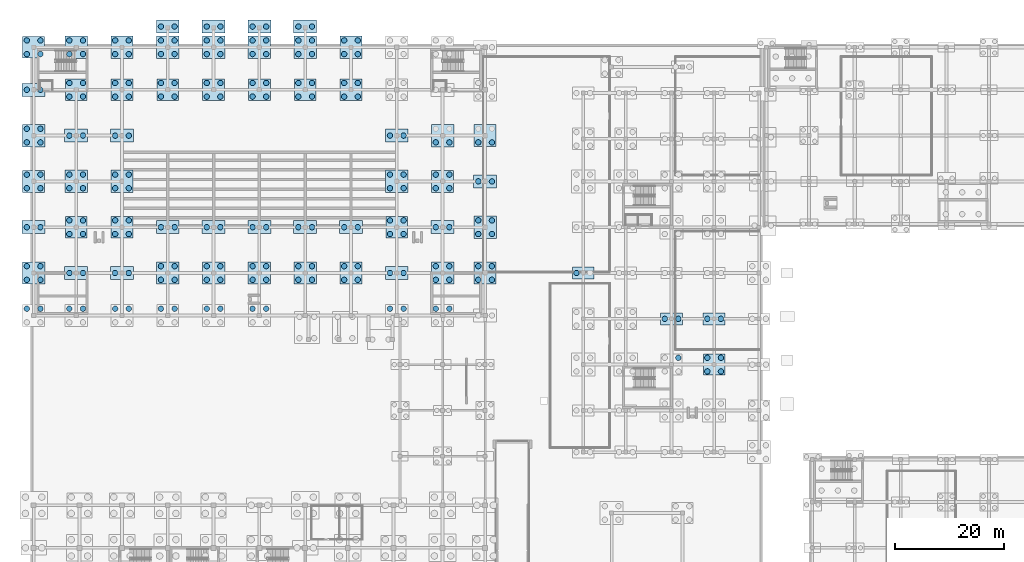
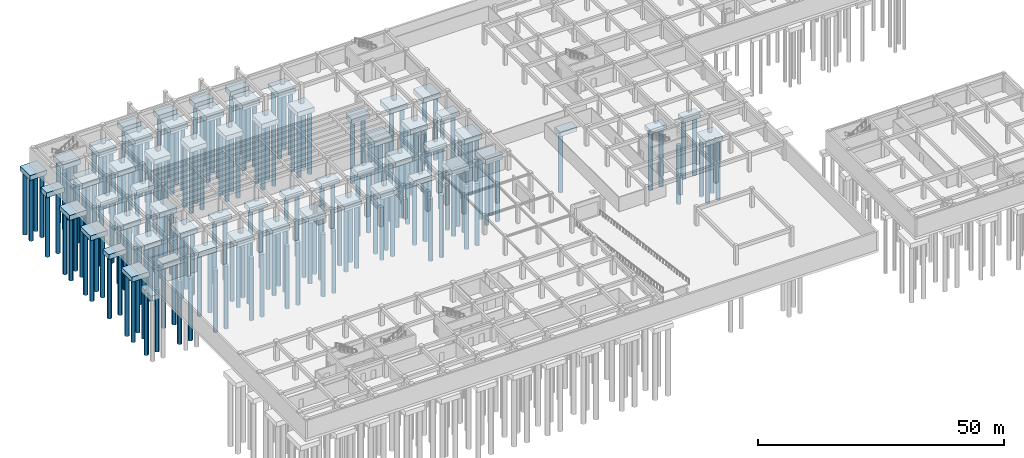
# One storey, part 3 of 35: 200 piles, 58 footings.
"""IFC4 building model written with IfcOpenShell, lengths in metres."""

from ifc_helpers import new_model, si_unit, direction, frame, origin, origin_2d, place, context, subcontext, project, spatial, rectangle, circle, extrude, material, material_profile, profile_set, type_object, element, save


model = new_model("IFC4")

# Units and contexts
model_context = context("Model", 3, precision=1e-05, world=origin(), true_north=direction((0.0, 1.0)))
body_context = subcontext(model_context, "Body", "Model", "MODEL_VIEW")
ifc_project = project(units=[si_unit("LENGTHUNIT", "METRE"), si_unit("AREAUNIT", "SQUARE_METRE"), si_unit("VOLUMEUNIT", "CUBIC_METRE"), si_unit("PLANEANGLEUNIT", "RADIAN"), si_unit("MASSUNIT", "GRAM", prefix="KILO")], contexts=[model_context])

# Site, building, storey
site_placement = place(None, origin())
site = spatial("IfcSite", under=ifc_project, at=site_placement, CompositionType="ELEMENT")
building_placement = place(site_placement, origin())
building = spatial("IfcBuilding", under=site, at=building_placement, Name="Zayran Congress Hotel", CompositionType="ELEMENT")
storey_placement = place(building_placement, frame((0.0, 0.0, -4.800048828125)))
storey = spatial("IfcBuildingStorey", under=building, at=storey_placement, Name="B1", CompositionType="ELEMENT", Elevation=-4.800048828125)

# Piles
ifc_material = material(Name="Concrete C40/50", Category="concrete")
ifc_material_profile = material_profile(ifc_material, circle(Radius=0.5, at=origin_2d()), Name="PILE D1000")
ifc_profile_set = profile_set([ifc_material_profile], Name="Concrete C40/50")
pile_type = type_object("IfcPileType", Name="TP-PL-1000", PredefinedType="BORED", material=ifc_profile_set)
for number, where, z_axis, x_axis, name in (
    (1, (7.75, 69.449951171875, -1.699951171875), (0.0, 0.0, -1.0), (1.0, 0.0, 0.0), "PIL-0041"),
    (2, (10.25, 69.449951171875, -1.699951171875), (0.0, 0.0, -1.0), (1.0, 0.0, 0.0), "PIL-0042"),
    (3, (7.75, 74.75, -1.699951171875), (0.0, 0.0, -1.0), (1.0, 0.0, 0.0), "PIL-0043"),
    (4, (10.25, 74.75, -1.699951171875), (0.0, 0.0, -1.0), (1.0, 0.0, 0.0), "PIL-0044"),
    (5, (7.75, 77.25, -1.699951171875), (0.0, 0.0, -1.0), (1.0, 0.0, 0.0), "PIL-0045"),
    (6, (10.25, 77.25, -1.699951171875), (0.0, 0.0, -1.0), (1.0, 0.0, 0.0), "PIL-0046"),
    (7, (7.75, 84.39990234375, -1.699951171875), (0.0, 0.0, -1.0), (1.0, 0.0, 0.0), "PIL-0047"),
    (8, (10.25, 84.39990234375, -1.699951171875), (0.0, 0.0, -1.0), (1.0, 0.0, 0.0), "PIL-0048"),
    (9, (7.75, 91.550048828125, -1.699951171875), (0.0, 0.0, -1.0), (1.0, 0.0, 0.0), "PIL-0049"),
    (10, (10.25, 91.550048828125, -1.699951171875), (0.0, 0.0, -1.0), (1.0, 0.0, 0.0), "PIL-0050"),
    (11, (7.75, 94.050048828125, -1.699951171875), (0.0, 0.0, -1.0), (1.0, 0.0, 0.0), "PIL-0051"),
    (12, (10.25, 94.050048828125, -1.699951171875), (0.0, 0.0, -1.0), (1.0, 0.0, 0.0), "PIL-0052"),
    (13, (7.75, 99.949951171875, -1.699951171875), (0.0, 0.0, -1.0), (1.0, 0.0, 0.0), "PIL-0053"),
    (14, (10.25, 99.949951171875, -1.699951171875), (0.0, 0.0, -1.0), (1.0, 0.0, 0.0), "PIL-0054"),
    (15, (7.75, 102.449951171875, -1.699951171875), (0.0, 0.0, -1.0), (1.0, 0.0, 0.0), "PIL-0055"),
    (16, (10.25, 102.449951171875, -1.699951171875), (0.0, 0.0, -1.0), (1.0, 0.0, 0.0), "PIL-0056"),
    (17, (7.75, 109.60009765625, -1.699951171875), (0.0, 0.0, -1.0), (1.0, 0.0, 0.0), "PIL-0057"),
    (18, (10.25, 109.60009765625, -1.699951171875), (0.0, 0.0, -1.0), (1.0, 0.0, 0.0), "PIL-0058"),
    (19, (7.75, 116.14990234375, -1.699951171875), (0.0, 0.0, -1.0), (1.0, 0.0, 0.0), "PIL-0059"),
    (20, (10.25, 116.14990234375, -1.699951171875), (0.0, 0.0, -1.0), (1.0, 0.0, 0.0), "PIL-0060"),
    (21, (7.75, 118.64990234375, -1.699951171875), (0.0, 0.0, -1.0), (1.0, 0.0, 0.0), "PIL-0061"),
    (22, (10.25, 118.64990234375, -1.699951171875), (0.0, 0.0, -1.0), (1.0, 0.0, 0.0), "PIL-0062"),
    (23, (15.550048828125, 69.449951171875, -1.699951171875), (0.0, 0.0, -1.0), (1.0, 0.0, 0.0), "PIL-0065"),
    (24, (18.050048828125, 69.449951171875, -1.699951171875), (0.0, 0.0, -1.0), (1.0, 0.0, 0.0), "PIL-0066"),
    (25, (15.550048828125, 76.0, -1.699951171875), (0.0, 0.0, -1.0), (1.0, 0.0, 0.0), "PIL-0067"),
    (26, (18.050048828125, 76.0, -1.699951171875), (0.0, 0.0, -1.0), (1.0, 0.0, 0.0), "PIL-0068"),
    (27, (15.550048828125, 83.14990234375, -1.699951171875), (0.0, 0.0, -1.0), (1.0, 0.0, 0.0), "PIL-0069"),
    (28, (18.050048828125, 83.14990234375, -1.699951171875), (0.0, 0.0, -1.0), (1.0, 0.0, 0.0), "PIL-0070"),
    (29, (15.550048828125, 85.64990234375, -1.699951171875), (0.0, 0.0, -1.0), (1.0, 0.0, 0.0), "PIL-0071"),
    (30, (18.050048828125, 85.64990234375, -1.699951171875), (0.0, 0.0, -1.0), (1.0, 0.0, 0.0), "PIL-0072"),
    (31, (15.550048828125, 91.550048828125, -1.699951171875), (0.0, 0.0, -1.0), (1.0, 0.0, 0.0), "PIL-0073"),
    (32, (18.050048828125, 91.550048828125, -1.699951171875), (0.0, 0.0, -1.0), (1.0, 0.0, 0.0), "PIL-0074"),
    (33, (15.550048828125, 94.050048828125, -1.699951171875), (0.0, 0.0, -1.0), (1.0, 0.0, 0.0), "PIL-0075"),
    (34, (18.050048828125, 94.050048828125, -1.699951171875), (0.0, 0.0, -1.0), (1.0, 0.0, 0.0), "PIL-0076"),
    (35, (15.550048828125, 101.199951171875, -1.699951171875), (0.0, 0.0, -1.0), (1.0, 0.0, 0.0), "PIL-0077"),
    (36, (18.050048828125, 101.199951171875, -1.699951171875), (0.0, 0.0, -1.0), (1.0, 0.0, 0.0), "PIL-0078"),
    (37, (15.550048828125, 108.35009765625, -1.699951171875), (0.0, 0.0, -1.0), (1.0, 0.0, 0.0), "PIL-0079"),
    (38, (18.050048828125, 108.35009765625, -1.699951171875), (0.0, 0.0, -1.0), (1.0, 0.0, 0.0), "PIL-0080"),
    (39, (15.550048828125, 110.85009765625, -1.699951171875), (0.0, 0.0, -1.0), (1.0, 0.0, 0.0), "PIL-0081"),
    (40, (18.050048828125, 110.85009765625, -1.699951171875), (0.0, 0.0, -1.0), (1.0, 0.0, 0.0), "PIL-0082"),
    (41, (15.550048828125, 116.14990234375, -1.699951171875), (0.0, 0.0, -1.0), (1.0, 0.0, 0.0), "PIL-0083"),
    (42, (18.050048828125, 116.14990234375, -1.699951171875), (0.0, 0.0, -1.0), (1.0, 0.0, 0.0), "PIL-0084"),
    (43, (15.550048828125, 118.64990234375, -1.699951171875), (0.0, 0.0, -1.0), (1.0, 0.0, 0.0), "PIL-0085"),
    (44, (18.050048828125, 118.64990234375, -1.699951171875), (0.0, 0.0, -1.0), (1.0, 0.0, 0.0), "PIL-0086"),
    (45, (23.949951171875, 69.449951171875, -1.699951171875), (0.0, 0.0, -1.0), (1.0, 0.0, 0.0), "PIL-0121"),
    (46, (26.449951171875, 69.449951171875, -1.699951171875), (0.0, 0.0, -1.0), (1.0, 0.0, 0.0), "PIL-0122"),
    (47, (23.949951171875, 76.0, -1.699951171875), (0.0, 0.0, -1.0), (1.0, 0.0, 0.0), "PIL-0123"),
    (48, (26.449951171875, 76.0, -1.699951171875), (0.0, 0.0, -1.0), (1.0, 0.0, 0.0), "PIL-0124"),
    (49, (23.949951171875, 83.14990234375, -1.699951171875), (0.0, 0.0, -1.0), (1.0, 0.0, 0.0), "PIL-0125"),
    (50, (26.449951171875, 83.14990234375, -1.699951171875), (0.0, 0.0, -1.0), (1.0, 0.0, 0.0), "PIL-0126"),
    (51, (23.949951171875, 85.64990234375, -1.699951171875), (0.0, 0.0, -1.0), (1.0, 0.0, 0.0), "PIL-0127"),
    (52, (26.449951171875, 85.64990234375, -1.699951171875), (0.0, 0.0, -1.0), (1.0, 0.0, 0.0), "PIL-0128"),
    (53, (23.949951171875, 91.550048828125, -1.699951171875), (0.0, 0.0, -1.0), (1.0, 0.0, 0.0), "PIL-0129"),
    (54, (26.449951171875, 91.550048828125, -1.699951171875), (0.0, 0.0, -1.0), (1.0, 0.0, 0.0), "PIL-0130"),
    (55, (23.949951171875, 94.050048828125, -1.699951171875), (0.0, 0.0, -1.0), (1.0, 0.0, 0.0), "PIL-0131"),
    (56, (26.449951171875, 94.050048828125, -1.699951171875), (0.0, 0.0, -1.0), (1.0, 0.0, 0.0), "PIL-0132"),
    (57, (23.949951171875, 101.199951171875, -1.699951171875), (0.0, 0.0, -1.0), (1.0, 0.0, 0.0), "PIL-0133"),
    (58, (26.449951171875, 101.199951171875, -1.699951171875), (0.0, 0.0, -1.0), (1.0, 0.0, 0.0), "PIL-0134"),
    (59, (23.949951171875, 108.35009765625, -1.699951171875), (0.0, 0.0, -1.0), (1.0, 0.0, 0.0), "PIL-0135"),
    (60, (26.449951171875, 108.35009765625, -1.699951171875), (0.0, 0.0, -1.0), (1.0, 0.0, 0.0), "PIL-0136"),
    (61, (23.949951171875, 110.85009765625, -1.699951171875), (0.0, 0.0, -1.0), (1.0, 0.0, 0.0), "PIL-0137"),
    (62, (26.449951171875, 110.85009765625, -1.699951171875), (0.0, 0.0, -1.0), (1.0, 0.0, 0.0), "PIL-0138"),
    (63, (23.949951171875, 116.14990234375, -1.699951171875), (0.0, 0.0, -1.0), (1.0, 0.0, 0.0), "PIL-0139"),
    (64, (26.449951171875, 116.14990234375, -1.699951171875), (0.0, 0.0, -1.0), (1.0, 0.0, 0.0), "PIL-0140"),
    (65, (23.949951171875, 118.64990234375, -1.699951171875), (0.0, 0.0, -1.0), (1.0, 0.0, 0.0), "PIL-0141"),
    (66, (26.449951171875, 118.64990234375, -1.699951171875), (0.0, 0.0, -1.0), (1.0, 0.0, 0.0), "PIL-0142"),
    (67, (32.35009765625, 69.449951171875, -1.699951171875), (0.0, 0.0, -1.0), (1.0, 0.0, 0.0), "PIL-0159"),
    (68, (34.85009765625, 69.449951171875, -1.699951171875), (0.0, 0.0, -1.0), (1.0, 0.0, 0.0), "PIL-0160"),
    (69, (32.35009765625, 74.75, -1.699951171875), (0.0, 0.0, -1.0), (1.0, 0.0, 0.0), "PIL-0161"),
    (70, (34.85009765625, 74.75, -1.699951171875), (0.0, 0.0, -1.0), (1.0, 0.0, 0.0), "PIL-0162"),
    (71, (32.35009765625, 77.25, -1.699951171875), (0.0, 0.0, -1.0), (1.0, 0.0, 0.0), "PIL-0163"),
    (72, (34.85009765625, 77.25, -1.699951171875), (0.0, 0.0, -1.0), (1.0, 0.0, 0.0), "PIL-0164"),
    (73, (32.35009765625, 84.39990234375, -1.699951171875), (0.0, 0.0, -1.0), (1.0, 0.0, 0.0), "PIL-0165"),
    (74, (34.85009765625, 84.39990234375, -1.699951171875), (0.0, 0.0, -1.0), (1.0, 0.0, 0.0), "PIL-0166"),
    (75, (32.35009765625, 108.35009765625, -1.699951171875), (0.0, 0.0, -1.0), (1.0, 0.0, 0.0), "PIL-0167"),
    (76, (34.85009765625, 108.35009765625, -1.699951171875), (0.0, 0.0, -1.0), (1.0, 0.0, 0.0), "PIL-0168"),
    (77, (32.35009765625, 110.85009765625, -1.699951171875), (0.0, 0.0, -1.0), (1.0, 0.0, 0.0), "PIL-0169"),
    (78, (34.85009765625, 110.85009765625, -1.699951171875), (0.0, 0.0, -1.0), (1.0, 0.0, 0.0), "PIL-0170"),
    (79, (32.35009765625, 116.14990234375, -1.699951171875), (0.0, 0.0, -1.0), (1.0, 0.0, 0.0), "PIL-0171"),
    (80, (34.85009765625, 116.14990234375, -1.699951171875), (0.0, 0.0, -1.0), (1.0, 0.0, 0.0), "PIL-0172"),
    (81, (32.35009765625, 118.64990234375, -1.699951171875), (0.0, 0.0, -1.0), (1.0, 0.0, 0.0), "PIL-0173"),
    (82, (34.85009765625, 118.64990234375, -1.699951171875), (0.0, 0.0, -1.0), (1.0, 0.0, 0.0), "PIL-0174"),
    (83, (40.75, 69.449951171875, -1.699951171875), (0.0, 0.0, -1.0), (1.0, 0.0, 0.0), "PIL-0193"),
    (84, (43.25, 69.449951171875, -1.699951171875), (0.0, 0.0, -1.0), (1.0, 0.0, 0.0), "PIL-0194"),
    (85, (40.75, 74.75, -1.699951171875), (0.0, 0.0, -1.0), (1.0, 0.0, 0.0), "PIL-0195"),
    (86, (43.25, 74.75, -1.699951171875), (0.0, 0.0, -1.0), (1.0, 0.0, 0.0), "PIL-0196"),
    (87, (40.75, 77.25, -1.699951171875), (0.0, 0.0, -1.0), (1.0, 0.0, 0.0), "PIL-0197"),
    (88, (43.25, 77.25, -1.699951171875), (0.0, 0.0, -1.0), (1.0, 0.0, 0.0), "PIL-0198"),
    (89, (40.75, 84.39990234375, -1.699951171875), (0.0, 0.0, -1.0), (1.0, 0.0, 0.0), "PIL-0199"),
    (90, (43.25, 84.39990234375, -1.699951171875), (0.0, 0.0, -1.0), (1.0, 0.0, 0.0), "PIL-0200"),
    (91, (40.75, 108.35009765625, -1.699951171875), (0.0, 0.0, -1.0), (1.0, 0.0, 0.0), "PIL-0201"),
    (92, (43.25, 108.35009765625, -1.699951171875), (0.0, 0.0, -1.0), (1.0, 0.0, 0.0), "PIL-0202"),
    (93, (40.75, 110.85009765625, -1.699951171875), (0.0, 0.0, -1.0), (1.0, 0.0, 0.0), "PIL-0203"),
    (94, (43.25, 110.85009765625, -1.699951171875), (0.0, 0.0, -1.0), (1.0, 0.0, 0.0), "PIL-0204"),
    (95, (40.75, 116.14990234375, -1.699951171875), (0.0, 0.0, -1.0), (1.0, 0.0, 0.0), "PIL-0205"),
    (96, (43.25, 116.14990234375, -1.699951171875), (0.0, 0.0, -1.0), (1.0, 0.0, 0.0), "PIL-0206"),
    (97, (40.75, 118.64990234375, -1.699951171875), (0.0, 0.0, -1.0), (1.0, 0.0, 0.0), "PIL-0207"),
    (98, (43.25, 118.64990234375, -1.699951171875), (0.0, 0.0, -1.0), (1.0, 0.0, 0.0), "PIL-0208"),
    (99, (49.14990234375, 69.449951171875, -1.699951171875), (0.0, 0.0, -1.0), (1.0, 0.0, 0.0), "PIL-0225"),
    (100, (51.64990234375, 69.449951171875, -1.699951171875), (0.0, 0.0, -1.0), (1.0, 0.0, 0.0), "PIL-0226"),
    (101, (49.14990234375, 74.75, -1.699951171875), (0.0, 0.0, -1.0), (1.0, 0.0, 0.0), "PIL-0227"),
    (102, (51.64990234375, 74.75, -1.699951171875), (0.0, 0.0, -1.0), (1.0, 0.0, 0.0), "PIL-0228"),
    (103, (49.14990234375, 77.25, -1.699951171875), (0.0, 0.0, -1.0), (1.0, 0.0, 0.0), "PIL-0229"),
    (104, (51.64990234375, 77.25, -1.699951171875), (0.0, 0.0, -1.0), (1.0, 0.0, 0.0), "PIL-0230"),
    (105, (49.14990234375, 84.39990234375, -1.699951171875), (0.0, 0.0, -1.0), (1.0, 0.0, 0.0), "PIL-0231"),
    (106, (51.64990234375, 84.39990234375, -1.699951171875), (0.0, 0.0, -1.0), (1.0, 0.0, 0.0), "PIL-0232"),
    (107, (49.14990234375, 108.35009765625, -1.699951171875), (0.0, 0.0, -1.0), (1.0, 0.0, 0.0), "PIL-0233"),
    (108, (51.64990234375, 108.35009765625, -1.699951171875), (0.0, 0.0, -1.0), (1.0, 0.0, 0.0), "PIL-0234"),
    (109, (49.14990234375, 110.85009765625, -1.699951171875), (0.0, 0.0, -1.0), (1.0, 0.0, 0.0), "PIL-0235"),
    (110, (51.64990234375, 110.85009765625, -1.699951171875), (0.0, 0.0, -1.0), (1.0, 0.0, 0.0), "PIL-0236"),
    (111, (49.14990234375, 116.14990234375, -1.699951171875), (0.0, 0.0, -1.0), (1.0, 0.0, 0.0), "PIL-0237"),
    (112, (51.64990234375, 116.14990234375, -1.699951171875), (0.0, 0.0, -1.0), (1.0, 0.0, 0.0), "PIL-0238"),
    (113, (49.14990234375, 118.64990234375, -1.699951171875), (0.0, 0.0, -1.0), (1.0, 0.0, 0.0), "PIL-0239"),
    (114, (51.64990234375, 118.64990234375, -1.699951171875), (0.0, 0.0, -1.0), (1.0, 0.0, 0.0), "PIL-0240"),
    (115, (57.550048828125, 74.75, -1.699951171875), (0.0, 0.0, -1.0), (1.0, 0.0, 0.0), "PIL-0259"),
    (116, (60.050048828125, 74.75, -1.699951171875), (0.0, 0.0, -1.0), (1.0, 0.0, 0.0), "PIL-0260"),
    (117, (57.550048828125, 77.25, -1.699951171875), (0.0, 0.0, -1.0), (1.0, 0.0, 0.0), "PIL-0261"),
    (118, (60.050048828125, 77.25, -1.699951171875), (0.0, 0.0, -1.0), (1.0, 0.0, 0.0), "PIL-0262"),
    (119, (57.550048828125, 84.39990234375, -1.699951171875), (0.0, 0.0, -1.0), (1.0, 0.0, 0.0), "PIL-0263"),
    (120, (60.050048828125, 84.39990234375, -1.699951171875), (0.0, 0.0, -1.0), (1.0, 0.0, 0.0), "PIL-0264"),
    (121, (57.550048828125, 108.35009765625, -1.699951171875), (0.0, 0.0, -1.0), (1.0, 0.0, 0.0), "PIL-0265"),
    (122, (60.050048828125, 108.35009765625, -1.699951171875), (0.0, 0.0, -1.0), (1.0, 0.0, 0.0), "PIL-0266"),
    (123, (57.550048828125, 110.85009765625, -1.699951171875), (0.0, 0.0, -1.0), (1.0, 0.0, 0.0), "PIL-0267"),
    (124, (60.050048828125, 110.85009765625, -1.699951171875), (0.0, 0.0, -1.0), (1.0, 0.0, 0.0), "PIL-0268"),
    (125, (57.550048828125, 116.14990234375, -1.699951171875), (0.0, 0.0, -1.0), (1.0, 0.0, 0.0), "PIL-0269"),
    (126, (60.050048828125, 116.14990234375, -1.699951171875), (0.0, 0.0, -1.0), (1.0, 0.0, 0.0), "PIL-0270"),
    (127, (57.550048828125, 118.64990234375, -1.699951171875), (0.0, 0.0, -1.0), (1.0, 0.0, 0.0), "PIL-0271"),
    (128, (60.050048828125, 118.64990234375, -1.699951171875), (0.0, 0.0, -1.0), (1.0, 0.0, 0.0), "PIL-0272"),
    (129, (65.949951171875, 74.75, -1.699951171875), (0.0, 0.0, -1.0), (1.0, 0.0, 0.0), "PIL-0293"),
    (130, (68.449951171875, 74.75, -1.699951171875), (0.0, 0.0, -1.0), (1.0, 0.0, 0.0), "PIL-0294"),
    (131, (65.949951171875, 77.25, -1.699951171875), (0.0, 0.0, -1.0), (1.0, 0.0, 0.0), "PIL-0295"),
    (132, (68.449951171875, 77.25, -1.699951171875), (0.0, 0.0, -1.0), (1.0, 0.0, 0.0), "PIL-0296"),
    (133, (65.949951171875, 84.39990234375, -1.699951171875), (0.0, 0.0, -1.0), (1.0, 0.0, 0.0), "PIL-0297"),
    (134, (68.449951171875, 84.39990234375, -1.699951171875), (0.0, 0.0, -1.0), (1.0, 0.0, 0.0), "PIL-0298"),
    (135, (65.949951171875, 108.35009765625, -1.699951171875), (0.0, 0.0, -1.0), (1.0, 0.0, 0.0), "PIL-0299"),
    (136, (68.449951171875, 108.35009765625, -1.699951171875), (0.0, 0.0, -1.0), (1.0, 0.0, 0.0), "PIL-0300"),
    (137, (65.949951171875, 110.85009765625, -1.699951171875), (0.0, 0.0, -1.0), (1.0, 0.0, 0.0), "PIL-0301"),
    (138, (68.449951171875, 110.85009765625, -1.699951171875), (0.0, 0.0, -1.0), (1.0, 0.0, 0.0), "PIL-0302"),
    (139, (65.949951171875, 116.14990234375, -1.699951171875), (0.0, 0.0, -1.0), (1.0, 0.0, 0.0), "PIL-0303"),
    (140, (68.449951171875, 116.14990234375, -1.699951171875), (0.0, 0.0, -1.0), (1.0, 0.0, 0.0), "PIL-0304"),
    (141, (65.949951171875, 118.64990234375, -1.699951171875), (0.0, 0.0, -1.0), (1.0, 0.0, 0.0), "PIL-0305"),
    (142, (68.449951171875, 118.64990234375, -1.699951171875), (0.0, 0.0, -1.0), (1.0, 0.0, 0.0), "PIL-0306"),
    (143, (74.35009765625, 69.449951171875, -1.699951171875), (0.0, 0.0, -1.0), (1.0, 0.0, 0.0), "PIL-0325"),
    (144, (76.85009765625, 69.449951171875, -1.699951171875), (0.0, 0.0, -1.0), (1.0, 0.0, 0.0), "PIL-0326"),
    (145, (74.35009765625, 76.0, -1.699951171875), (0.0, 0.0, -1.0), (1.0, 0.0, 0.0), "PIL-0327"),
    (146, (76.85009765625, 76.0, -1.699951171875), (0.0, 0.0, -1.0), (1.0, 0.0, 0.0), "PIL-0328"),
    (147, (74.35009765625, 83.14990234375, -1.699951171875), (0.0, 0.0, -1.0), (1.0, 0.0, 0.0), "PIL-0329"),
    (148, (76.85009765625, 83.14990234375, -1.699951171875), (0.0, 0.0, -1.0), (1.0, 0.0, 0.0), "PIL-0330"),
    (149, (74.35009765625, 85.64990234375, -1.699951171875), (0.0, 0.0, -1.0), (1.0, 0.0, 0.0), "PIL-0331"),
    (150, (76.85009765625, 85.64990234375, -1.699951171875), (0.0, 0.0, -1.0), (1.0, 0.0, 0.0), "PIL-0332"),
    (151, (74.35009765625, 91.550048828125, -1.699951171875), (0.0, 0.0, -1.0), (1.0, 0.0, 0.0), "PIL-0333"),
    (152, (76.85009765625, 91.550048828125, -1.699951171875), (0.0, 0.0, -1.0), (1.0, 0.0, 0.0), "PIL-0334"),
    (153, (74.35009765625, 94.050048828125, -1.699951171875), (0.0, 0.0, -1.0), (1.0, 0.0, 0.0), "PIL-0335"),
    (154, (76.85009765625, 94.050048828125, -1.699951171875), (0.0, 0.0, -1.0), (1.0, 0.0, 0.0), "PIL-0336"),
    (155, (74.35009765625, 101.199951171875, -1.699951171875), (0.0, 0.0, -1.0), (1.0, 0.0, 0.0), "PIL-0337"),
    (156, (76.85009765625, 101.199951171875, -1.699951171875), (0.0, 0.0, -1.0), (1.0, 0.0, 0.0), "PIL-0338"),
    (157, (82.75, 69.449951171875, -1.699951171875), (0.0, 0.0, -1.0), (1.0, 0.0, 0.0), "PIL-0377"),
    (158, (85.25, 69.449951171875, -1.699951171875), (0.0, 0.0, -1.0), (1.0, 0.0, 0.0), "PIL-0378"),
    (159, (82.75, 74.75, -1.699951171875), (0.0, 0.0, -1.0), (1.0, 0.0, 0.0), "PIL-0379"),
    (160, (85.25, 74.75, -1.699951171875), (0.0, 0.0, -1.0), (1.0, 0.0, 0.0), "PIL-0380"),
    (161, (82.75, 77.25, -1.699951171875), (0.0, 0.0, -1.0), (1.0, 0.0, 0.0), "PIL-0381"),
    (162, (85.25, 77.25, -1.699951171875), (0.0, 0.0, -1.0), (1.0, 0.0, 0.0), "PIL-0382"),
    (163, (82.75, 84.39990234375, -1.699951171875), (0.0, 0.0, -1.0), (1.0, 0.0, 0.0), "PIL-0383"),
    (164, (85.25, 84.39990234375, -1.699951171875), (0.0, 0.0, -1.0), (1.0, 0.0, 0.0), "PIL-0384"),
    (165, (82.75, 91.550048828125, -1.699951171875), (0.0, 0.0, -1.0), (1.0, 0.0, 0.0), "PIL-0385"),
    (166, (85.25, 91.550048828125, -1.699951171875), (0.0, 0.0, -1.0), (1.0, 0.0, 0.0), "PIL-0386"),
    (167, (82.75, 94.050048828125, -1.699951171875), (0.0, 0.0, -1.0), (1.0, 0.0, 0.0), "PIL-0387"),
    (168, (85.25, 94.050048828125, -1.699951171875), (0.0, 0.0, -1.0), (1.0, 0.0, 0.0), "PIL-0388"),
    (169, (82.75, 99.949951171875, -1.699951171875), (0.0, 0.0, -1.0), (1.0, 0.0, 0.0), "PIL-0389"),
    (170, (85.25, 99.949951171875, -1.699951171875), (0.0, 0.0, -1.0), (1.0, 0.0, 0.0), "PIL-0390"),
    (171, (90.550048828125, 74.75, -1.699951171875), (0.0, 0.0, -1.0), (1.0, 0.0, 0.0), "PIL-0422"),
    (172, (93.050048828125, 74.75, -1.699951171875), (0.0, 0.0, -1.0), (1.0, 0.0, 0.0), "PIL-0423"),
    (173, (90.550048828125, 77.25, -1.699951171875), (0.0, 0.0, -1.0), (1.0, 0.0, 0.0), "PIL-0424"),
    (174, (93.050048828125, 77.25, -1.699951171875), (0.0, 0.0, -1.0), (1.0, 0.0, 0.0), "PIL-0425"),
    (175, (90.550048828125, 83.14990234375, -1.699951171875), (0.0, 0.0, -1.0), (1.0, 0.0, 0.0), "PIL-0426"),
    (176, (93.050048828125, 83.14990234375, -1.699951171875), (0.0, 0.0, -1.0), (1.0, 0.0, 0.0), "PIL-0427"),
    (177, (90.550048828125, 85.64990234375, -1.699951171875), (0.0, 0.0, -1.0), (1.0, 0.0, 0.0), "PIL-0428"),
    (178, (93.050048828125, 85.64990234375, -1.699951171875), (0.0, 0.0, -1.0), (1.0, 0.0, 0.0), "PIL-0429"),
    (179, (90.550048828125, 92.800048828125, -1.699951171875), (0.0, 0.0, -1.0), (1.0, 0.0, 0.0), "PIL-0430"),
    (180, (93.050048828125, 92.800048828125, -1.699951171875), (0.0, 0.0, -1.0), (1.0, 0.0, 0.0), "PIL-0431"),
    (181, (90.550048828125, 99.949951171875, -1.699951171875), (0.0, 0.0, -1.0), (1.0, 0.0, 0.0), "PIL-0432"),
    (182, (93.050048828125, 99.949951171875, -1.699951171875), (0.0, 0.0, -1.0), (1.0, 0.0, 0.0), "PIL-0433"),
):
    element("IfcPile", number, at=place(storey_placement, frame(where, z_axis=z_axis, x_axis=x_axis)), inside=storey, type_object=pile_type, Name=name, PredefinedType="BORED", context=body_context, shape_type="SweptSolid", body=[
        extrude(circle(Radius=0.5, at=origin_2d()), origin(), (0.0, 0.0, 1.0), 15.5),
    ])
for number, where, z_axis, x_axis, name in (
    (183, (108.550048828125, 76.0, -1.599853515625), (0.0, 0.0, -1.0), (1.0, 0.0, 0.0), "PIL-0454"),
    (184, (127.25, 60.449951171875, -1.599853515625), (0.0, 0.0, -1.0), (1.0, 0.0, 0.0), "PIL-0513"),
    (185, (124.75, 67.60009765625, -1.599853515625), (0.0, 0.0, -1.0), (1.0, 0.0, 0.0), "PIL-0514"),
    (186, (127.25, 67.60009765625, -1.599853515625), (0.0, 0.0, -1.0), (1.0, 0.0, 0.0), "PIL-0515"),
    (187, (132.550048828125, 57.949951171875, -1.599853515625), (0.0, 0.0, -1.0), (1.0, 0.0, 0.0), "PIL-0546"),
    (188, (135.050048828125, 57.949951171875, -1.599853515625), (0.0, 0.0, -1.0), (1.0, 0.0, 0.0), "PIL-0547"),
    (189, (132.550048828125, 60.449951171875, -1.599853515625), (0.0, 0.0, -1.0), (1.0, 0.0, 0.0), "PIL-0548"),
    (190, (135.050048828125, 60.449951171875, -1.599853515625), (0.0, 0.0, -1.0), (1.0, 0.0, 0.0), "PIL-0549"),
    (191, (132.550048828125, 67.60009765625, -1.599853515625), (0.0, 0.0, -1.0), (1.0, 0.0, 0.0), "PIL-0550"),
    (192, (135.050048828125, 67.60009765625, -1.599853515625), (0.0, 0.0, -1.0), (1.0, 0.0, 0.0), "PIL-0551"),
):
    element("IfcPile", number, at=place(storey_placement, frame(where, z_axis=z_axis, x_axis=x_axis)), inside=storey, type_object=pile_type, Name=name, PredefinedType="BORED", context=body_context, shape_type="SweptSolid", body=[
        extrude(circle(Radius=0.5, at=origin_2d()), origin(), (0.0, 0.0, 1.0), 14.60009765625),
    ])
for number, where, z_axis, x_axis, name in (
    (193, (32.35009765625, 121.199951171875, -1.099853515625), (0.0, 0.0, -1.0), (1.0, 0.0, 0.0), "PIL-NCAN-1-1"),
    (194, (34.85009765625, 121.199951171875, -1.099853515625), (0.0, 0.0, -1.0), (1.0, 0.0, 0.0), "PIL-NCAN-1-2"),
    (195, (40.75, 121.199951171875, -1.099853515625), (0.0, 0.0, -1.0), (1.0, 0.0, 0.0), "PIL-NCAN-2-1"),
    (196, (43.25, 121.199951171875, -1.099853515625), (0.0, 0.0, -1.0), (1.0, 0.0, 0.0), "PIL-NCAN-2-2"),
    (197, (49.14990234375, 121.199951171875, -1.099853515625), (0.0, 0.0, -1.0), (1.0, 0.0, 0.0), "PIL-NCAN-3-1"),
    (198, (51.64990234375, 121.199951171875, -1.099853515625), (0.0, 0.0, -1.0), (1.0, 0.0, 0.0), "PIL-NCAN-3-2"),
    (199, (57.550048828125, 121.199951171875, -1.099853515625), (0.0, 0.0, -1.0), (1.0, 0.0, 0.0), "PIL-NCAN-4-1"),
    (200, (60.050048828125, 121.199951171875, -1.099853515625), (0.0, 0.0, -1.0), (1.0, 0.0, 0.0), "PIL-NCAN-4-2"),
):
    element("IfcPile", number, at=place(storey_placement, frame(where, z_axis=z_axis, x_axis=x_axis)), inside=storey, type_object=pile_type, Name=name, PredefinedType="BORED", context=body_context, shape_type="SweptSolid", body=[
        extrude(circle(Radius=0.5, at=origin_2d()), origin(), (0.0, 0.0, 1.0), 16.10009765625),
    ])

# Footings
footing_type_1 = type_object("IfcFootingType", Name="TP-PC-04", PredefinedType="PILE_CAP", material=ifc_material)
for number, where, z_axis, x_axis, name in (
    (201, (9.0, 92.800048828125, -1.7998046875), (0.0, 0.0, 1.0), (1.0, 0.0, 0.0), "FTG-CAP-012"),
    (202, (9.0, 117.39990234375, -1.7998046875), (0.0, 0.0, 1.0), (1.0, 0.0, 0.0), "FTG-CAP-015"),
    (203, (16.800048828125, 84.39990234375, -1.7998046875), (0.0, 0.0, 1.0), (1.0, 0.0, 0.0), "FTG-CAP-018"),
    (204, (16.800048828125, 109.60009765625, -1.7998046875), (0.0, 0.0, 1.0), (1.0, 0.0, 0.0), "FTG-CAP-021"),
    (205, (25.199951171875, 84.39990234375, -1.7998046875), (0.0, 0.0, 1.0), (1.0, 0.0, 0.0), "FTG-CAP-033"),
    (206, (25.199951171875, 109.60009765625, -1.7998046875), (0.0, 0.0, 1.0), (1.0, 0.0, 0.0), "FTG-CAP-036"),
    (207, (33.60009765625, 109.60009765625, -1.7998046875), (0.0, 0.0, 1.0), (1.0, 0.0, 0.0), "FTG-CAP-045"),
    (208, (42.0, 109.60009765625, -1.7998046875), (0.0, 0.0, 1.0), (1.0, 0.0, 0.0), "FTG-CAP-054"),
    (209, (50.39990234375, 109.60009765625, -1.7998046875), (0.0, 0.0, 1.0), (1.0, 0.0, 0.0), "FTG-CAP-063"),
    (210, (58.800048828125, 109.60009765625, -1.7998046875), (0.0, 0.0, 1.0), (1.0, 0.0, 0.0), "FTG-CAP-072"),
    (211, (67.199951171875, 109.60009765625, -1.7998046875), (0.0, 0.0, 1.0), (1.0, 0.0, 0.0), "FTG-CAP-081"),
    (212, (75.60009765625, 84.39990234375, -1.7998046875), (0.0, 0.0, 1.0), (1.0, 0.0, 0.0), "FTG-CAP-090"),
    (213, (84.0, 92.800048828125, -1.7998046875), (0.0, 0.0, 1.0), (1.0, 0.0, 0.0), "FTG-CAP-108"),
    (214, (91.800048828125, 76.0, -1.7998046875), (0.0, 0.0, 1.0), (1.0, 0.0, 0.0), "FTG-CAP-120"),
    (215, (91.800048828125, 101.199951171875, -1.7998046875), (0.0, 0.0, 1.0), (1.0, 0.0, 0.0), "FTG-CAP-123"),
):
    element("IfcFooting", number, at=place(storey_placement, frame(where, z_axis=z_axis, x_axis=x_axis)), inside=storey, type_object=footing_type_1, Name=name, PredefinedType="PILE_CAP", context=body_context, shape_type="SweptSolid", body=[
        extrude(rectangle(XDim=4.0, YDim=4.0, at=origin_2d()), origin(), (0.0, 0.0, 1.0), 1.199951171875),
    ])
footing_type_2 = type_object("IfcFootingType", Name="TP-PC-05", PredefinedType="PILE_CAP", material=ifc_material)
for number, where, z_axis, x_axis, name in (
    (216, (9.0, 76.0, -1.7998046875), (0.0, 0.0, 1.0), (1.0, 0.0, 0.0), "FTG-CAP-010"),
    (217, (9.0, 101.199951171875, -1.7998046875), (0.0, 0.0, 1.0), (1.0, 0.0, 0.0), "FTG-CAP-013"),
    (218, (16.800048828125, 92.800048828125, -1.7998046875), (0.0, 0.0, 1.0), (1.0, 0.0, 0.0), "FTG-CAP-019"),
    (219, (16.800048828125, 117.39990234375, -1.7998046875), (0.0, 0.0, 1.0), (1.0, 0.0, 0.0), "FTG-CAP-022"),
    (220, (25.199951171875, 92.800048828125, -1.7998046875), (0.0, 0.0, 1.0), (1.0, 0.0, 0.0), "FTG-CAP-034"),
    (221, (25.199951171875, 117.39990234375, -1.7998046875), (0.0, 0.0, 1.0), (1.0, 0.0, 0.0), "FTG-CAP-037"),
    (222, (33.60009765625, 76.0, -1.7998046875), (0.0, 0.0, 1.0), (1.0, 0.0, 0.0), "FTG-CAP-043"),
    (223, (33.60009765625, 117.39990234375, -1.7998046875), (0.0, 0.0, 1.0), (1.0, 0.0, 0.0), "FTG-CAP-046"),
    (224, (42.0, 76.0, -1.7998046875), (0.0, 0.0, 1.0), (1.0, 0.0, 0.0), "FTG-CAP-052"),
    (225, (42.0, 117.39990234375, -1.7998046875), (0.0, 0.0, 1.0), (1.0, 0.0, 0.0), "FTG-CAP-055"),
    (226, (50.39990234375, 76.0, -1.7998046875), (0.0, 0.0, 1.0), (1.0, 0.0, 0.0), "FTG-CAP-061"),
    (227, (50.39990234375, 117.39990234375, -1.7998046875), (0.0, 0.0, 1.0), (1.0, 0.0, 0.0), "FTG-CAP-064"),
    (228, (58.800048828125, 76.0, -1.7998046875), (0.0, 0.0, 1.0), (1.0, 0.0, 0.0), "FTG-CAP-070"),
    (229, (58.800048828125, 117.39990234375, -1.7998046875), (0.0, 0.0, 1.0), (1.0, 0.0, 0.0), "FTG-CAP-073"),
    (230, (67.199951171875, 76.0, -1.7998046875), (0.0, 0.0, 1.0), (1.0, 0.0, 0.0), "FTG-CAP-079"),
    (231, (67.199951171875, 117.39990234375, -1.7998046875), (0.0, 0.0, 1.0), (1.0, 0.0, 0.0), "FTG-CAP-082"),
    (232, (75.60009765625, 92.800048828125, -1.7998046875), (0.0, 0.0, 1.0), (1.0, 0.0, 0.0), "FTG-CAP-091"),
    (233, (84.0, 76.0, -1.7998046875), (0.0, 0.0, 1.0), (1.0, 0.0, 0.0), "FTG-CAP-106"),
    (234, (84.0, 101.199951171875, -1.7998046875), (0.0, 0.0, 1.0), (1.0, 0.0, 0.0), "FTG-CAP-109"),
    (235, (91.800048828125, 84.39990234375, -1.7998046875), (0.0, 0.0, 1.0), (1.0, 0.0, 0.0), "FTG-CAP-121"),
):
    element("IfcFooting", number, at=place(storey_placement, frame(where, z_axis=z_axis, x_axis=x_axis)), inside=storey, type_object=footing_type_2, Name=name, PredefinedType="PILE_CAP", context=body_context, shape_type="SweptSolid", body=[
        extrude(rectangle(XDim=4.10009765625, YDim=4.10009765625, at=origin_2d()), origin(), (0.0, 0.0, 1.0), 1.199951171875),
    ])
footing_type_3 = type_object("IfcFootingType", Name="TP-PC-07", PredefinedType="PILE_CAP", material=ifc_material)
footing_placement = place(storey_placement, frame((133.800048828125, 59.199951171875, -1.699951171875), z_axis=(0.0, 0.0, 1.0), x_axis=(1.0, 0.0, 0.0)))
element("IfcFooting", 236, at=footing_placement, inside=storey, type_object=footing_type_3, Name="FTG-CAP-161", PredefinedType="PILE_CAP", context=body_context, shape_type="SweptSolid", body=[
    extrude(rectangle(XDim=3.89990234375, YDim=3.89990234375, at=origin_2d()), origin(), (0.0, 0.0, 1.0), 1.10009765625),
])
footing_type_4 = type_object("IfcFootingType", Name="TP-PC-10", PredefinedType="PILE_CAP", material=ifc_material)
for number, where, z_axis, x_axis, name in (
    (237, (9.0, 84.39990234375, -1.7998046875), (0.0, 0.0, 1.0), (1.0, 0.0, 0.0), "FTG-CAP-011"),
    (238, (9.0, 109.60009765625, -1.7998046875), (0.0, 0.0, 1.0), (1.0, 0.0, 0.0), "FTG-CAP-014"),
    (239, (16.800048828125, 76.0, -1.7998046875), (0.0, 0.0, 1.0), (1.0, 0.0, 0.0), "FTG-CAP-017"),
    (240, (16.800048828125, 101.199951171875, -1.7998046875), (0.0, 0.0, 1.0), (1.0, 0.0, 0.0), "FTG-CAP-020"),
    (241, (25.199951171875, 76.0, -1.7998046875), (0.0, 0.0, 1.0), (1.0, 0.0, 0.0), "FTG-CAP-032"),
    (242, (25.199951171875, 101.199951171875, -1.7998046875), (0.0, 0.0, 1.0), (1.0, 0.0, 0.0), "FTG-CAP-035"),
    (243, (33.60009765625, 84.39990234375, -1.7998046875), (0.0, 0.0, 1.0), (1.0, 0.0, 0.0), "FTG-CAP-044"),
    (244, (42.0, 84.39990234375, -1.7998046875), (0.0, 0.0, 1.0), (1.0, 0.0, 0.0), "FTG-CAP-053"),
    (245, (50.39990234375, 84.39990234375, -1.7998046875), (0.0, 0.0, 1.0), (1.0, 0.0, 0.0), "FTG-CAP-062"),
    (246, (58.800048828125, 84.39990234375, -1.7998046875), (0.0, 0.0, 1.0), (1.0, 0.0, 0.0), "FTG-CAP-071"),
    (247, (67.199951171875, 84.39990234375, -1.7998046875), (0.0, 0.0, 1.0), (1.0, 0.0, 0.0), "FTG-CAP-080"),
    (248, (75.60009765625, 76.0, -1.7998046875), (0.0, 0.0, 1.0), (1.0, 0.0, 0.0), "FTG-CAP-089"),
    (249, (75.60009765625, 101.199951171875, -1.7998046875), (0.0, 0.0, 1.0), (1.0, 0.0, 0.0), "FTG-CAP-092"),
    (250, (84.0, 84.39990234375, -1.7998046875), (0.0, 0.0, 1.0), (1.0, 0.0, 0.0), "FTG-CAP-107"),
    (251, (91.800048828125, 92.800048828125, -1.7998046875), (0.0, 0.0, 1.0), (1.0, 0.0, 0.0), "FTG-CAP-122"),
    (252, (33.60009765625, 121.199951171875, -1.19970703125), (0.0, 0.0, 1.0), (1.0, 0.0, 0.0), "FTG-NCAP-1"),
    (253, (42.0, 121.199951171875, -1.19970703125), (0.0, 0.0, 1.0), (1.0, 0.0, 0.0), "FTG-NCAP-2"),
    (254, (50.39990234375, 121.199951171875, -1.19970703125), (0.0, 0.0, 1.0), (1.0, 0.0, 0.0), "FTG-NCAP-3"),
    (255, (58.800048828125, 121.199951171875, -1.19970703125), (0.0, 0.0, 1.0), (1.0, 0.0, 0.0), "FTG-NCAP-4"),
):
    element("IfcFooting", number, at=place(storey_placement, frame(where, z_axis=z_axis, x_axis=x_axis)), inside=storey, type_object=footing_type_4, Name=name, PredefinedType="PILE_CAP", context=body_context, shape_type="SweptSolid", body=[
        extrude(rectangle(XDim=4.199951171875, YDim=2.39990234375, at=origin_2d()), origin(), (0.0, 0.0, 1.0), 1.199951171875),
    ])
footing_type_5 = type_object("IfcFootingType", Name="TP-PC-11", PredefinedType="PILE_CAP", material=ifc_material)
for number, where, z_axis, x_axis, name in (
    (256, (109.800048828125, 76.0, -1.699951171875), (0.0, 0.0, 1.0), (1.0, 0.0, 0.0), "FTG-CAP-130"),
    (257, (126.0, 67.60009765625, -1.699951171875), (0.0, 0.0, 1.0), (1.0, 0.0, 0.0), "FTG-CAP-150"),
    (258, (133.800048828125, 67.60009765625, -1.699951171875), (0.0, 0.0, 1.0), (1.0, 0.0, 0.0), "FTG-CAP-162"),
):
    element("IfcFooting", number, at=place(storey_placement, frame(where, z_axis=z_axis, x_axis=x_axis)), inside=storey, type_object=footing_type_5, Name=name, PredefinedType="PILE_CAP", context=body_context, shape_type="SweptSolid", body=[
        extrude(rectangle(XDim=4.0, YDim=2.199951171875, at=origin_2d()), origin(), (0.0, 0.0, 1.0), 1.10009765625),
    ])

save(model, "model.ifc")
